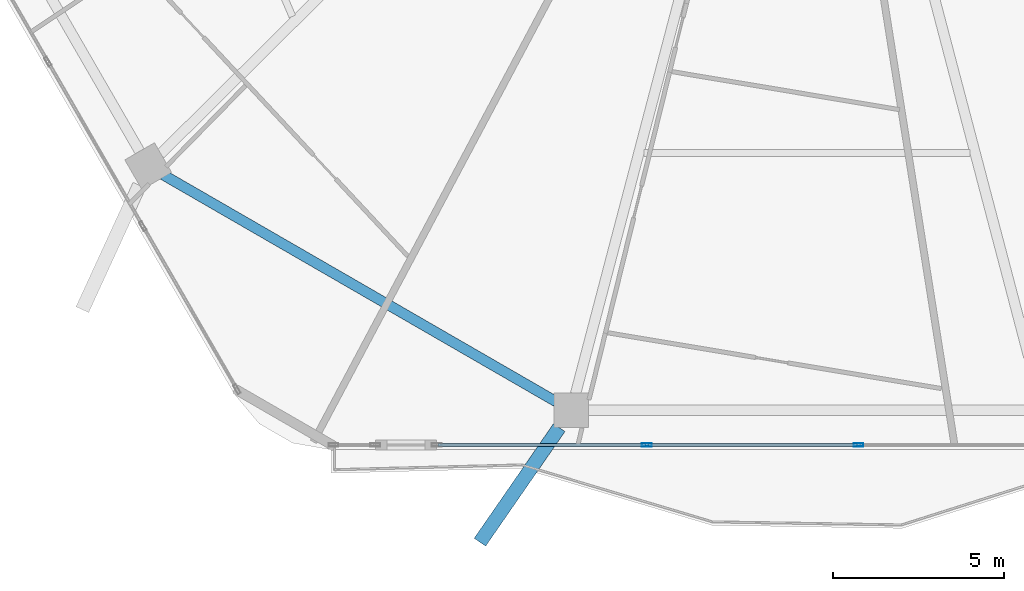
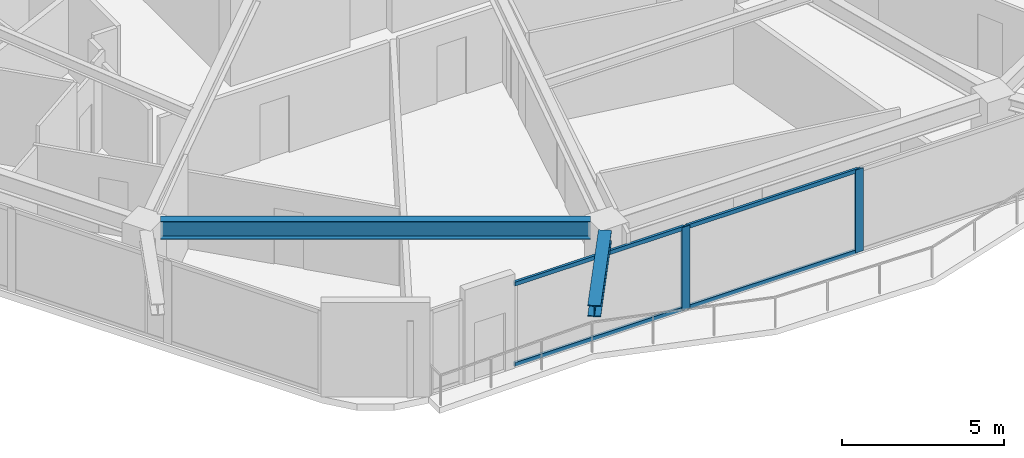
# One storey, part 3 of 27: 6 members, 2 beams, 1 element without a shape of its own.
"""IFC4 building model written with IfcOpenShell, lengths in metres."""

from ifc_helpers import new_model, si_unit, direction, frame, origin, origin_2d, place, context, subcontext, project, spatial, hollow_rectangle, i_section, extrude, material, material_profile, profile_set, type_object, element, aggregate, save


model = new_model("IFC4")

# Units and contexts
model_context = context("Model", 3, precision=1e-05, world=origin(), true_north=direction((0.0, 1.0)))
body_context = subcontext(model_context, "Body", "Model", "MODEL_VIEW")
ifc_project = project(units=[si_unit("LENGTHUNIT", "METRE"), si_unit("AREAUNIT", "SQUARE_METRE"), si_unit("VOLUMEUNIT", "CUBIC_METRE"), si_unit("PLANEANGLEUNIT", "RADIAN"), si_unit("MASSUNIT", "GRAM", prefix="KILO")], contexts=[model_context])

# Site, building, storey
site_placement = place(None, origin())
site = spatial("IfcSite", under=ifc_project, at=site_placement, CompositionType="ELEMENT")
building_placement = place(site_placement, origin())
building = spatial("IfcBuilding", under=site, at=building_placement, Name="Zuhravey Tower", CompositionType="ELEMENT")
storey_placement = place(building_placement, frame((0.0, 0.0, 173.199951171875)))
storey = spatial("IfcBuildingStorey", under=building, at=storey_placement, Name="L43", CompositionType="ELEMENT", Elevation=173.199951171875)

# Curtain wall, members
ifc_material_1 = material(Name="Thermally broken anodised aluminium", Category="aluminium")
curtain_wall_type = type_object("IfcCurtainWallType", Name="Zone 1-2 Residential Curtain Wall CW3", PredefinedType="NOTDEFINED", material=ifc_material_1)
curtain_wall_placement = place(storey_placement, origin())
curtain_wall = element("IfcCurtainWall", 1, at=curtain_wall_placement, inside=storey, type_object=curtain_wall_type, Name="L43 CW3 CW-L43-F5-1", PredefinedType="NOTDEFINED")
ifc_material_2 = material(Name="Anodised aluminium", Category="aluminium")
ifc_material_profile_1 = material_profile(ifc_material_2, hollow_rectangle(XDim=0.090087890625, YDim=0.284912109375, WallThickness=0.0048828125, at=origin_2d()), Name="ALU-RHS-90x285x5")
ifc_profile_set_1 = profile_set([ifc_material_profile_1], Name="Anodised aluminium")
member_type_1 = type_object("IfcMemberType", Name="Curtain-Wall Mullion 90x180", PredefinedType="MULLION", material=ifc_profile_set_1)
member_1_placement = place(storey_placement, frame((37.504638671875, 4.81689453125, 0.0), z_axis=(0.0, 0.0, 1.0), x_axis=(0.0, -1.0, 0.0)))
member_1 = element("IfcMember", 2, at=member_1_placement, type_object=member_type_1, Name="CW3 mullion 3", PredefinedType="MULLION", context=body_context, shape_type="SweptSolid", body=[
    extrude(hollow_rectangle(XDim=0.090087890625, YDim=0.284912109375, WallThickness=0.0048828125, at=origin_2d()), origin(), (0.0, 0.0, 1.0), 3.1220703125),
])
member_2_placement = place(storey_placement, frame((31.326416015625, 4.81689453125, 0.0), z_axis=(0.0, 0.0, 1.0), x_axis=(0.0, -1.0, 0.0)))
member_2 = element("IfcMember", 3, at=member_2_placement, type_object=member_type_1, Name="CW3 mullion 4", PredefinedType="MULLION", context=body_context, shape_type="SweptSolid", body=[
    extrude(hollow_rectangle(XDim=0.090087890625, YDim=0.284912109375, WallThickness=0.0048828125, at=origin_2d()), origin(), (0.0, 0.0, 1.0), 3.1220703125),
])
ifc_material_profile_2 = material_profile(ifc_material_2, hollow_rectangle(XDim=0.090087890625, YDim=0.14990234375, WallThickness=0.0048828125, at=origin_2d()), Name="ALU-RHS-90x150x5")
ifc_profile_set_2 = profile_set([ifc_material_profile_2], Name="Anodised aluminium")
member_type_2 = type_object("IfcMemberType", Name="Curtain-Wall Transom 90x150", PredefinedType="USERDEFINED", material=ifc_profile_set_2)
member_3_placement = place(storey_placement, frame((37.459716796875, 4.81689453125, 0.045166015625), z_axis=(-1.0, 0.0, 0.0), x_axis=(0.0, -1.0, 0.0)))
member_3 = element("IfcMember", 4, at=member_3_placement, type_object=member_type_2, Name="CW3 transom 3.1", ObjectType="TRANSOM", PredefinedType="USERDEFINED", context=body_context, shape_type="SweptSolid", body=[
    extrude(hollow_rectangle(XDim=0.090087890625, YDim=0.14990234375, WallThickness=0.0048828125, at=origin_2d()), origin(), (0.0, 0.0, 1.0), 6.08837890625),
])
member_4_placement = place(storey_placement, frame((37.459716796875, 4.81689453125, 3.0771484375), z_axis=(-1.0, 0.0, 0.0), x_axis=(0.0, -1.0, 0.0)))
member_4 = element("IfcMember", 5, at=member_4_placement, type_object=member_type_2, Name="CW3 transom 3.2", ObjectType="TRANSOM", PredefinedType="USERDEFINED", context=body_context, shape_type="SweptSolid", body=[
    extrude(hollow_rectangle(XDim=0.090087890625, YDim=0.14990234375, WallThickness=0.0048828125, at=origin_2d()), origin(), (0.0, 0.0, 1.0), 6.08837890625),
])
member_5_placement = place(storey_placement, frame((31.281494140625, 4.81689453125, 0.045166015625), z_axis=(-1.0, 0.0, 0.0), x_axis=(0.0, -1.0, 0.0)))
member_5 = element("IfcMember", 6, at=member_5_placement, type_object=member_type_2, Name="CW3 transom 4.1", ObjectType="TRANSOM", PredefinedType="USERDEFINED", context=body_context, shape_type="SweptSolid", body=[
    extrude(hollow_rectangle(XDim=0.090087890625, YDim=0.14990234375, WallThickness=0.0048828125, at=origin_2d()), origin(), (0.0, 0.0, 1.0), 6.043212890625),
])
member_6_placement = place(storey_placement, frame((31.281494140625, 4.81689453125, 3.0771484375), z_axis=(-1.0, 0.0, 0.0), x_axis=(0.0, -1.0, 0.0)))
member_6 = element("IfcMember", 7, at=member_6_placement, type_object=member_type_2, Name="CW3 transom 4.2", ObjectType="TRANSOM", PredefinedType="USERDEFINED", context=body_context, shape_type="SweptSolid", body=[
    extrude(hollow_rectangle(XDim=0.090087890625, YDim=0.14990234375, WallThickness=0.0048828125, at=origin_2d()), origin(), (0.0, 0.0, 1.0), 6.043212890625),
])
aggregate(curtain_wall, [member_1, member_2, member_3, member_4, member_5, member_6])

# Beams
ifc_material_3 = material(Name="Steel SM460", Category="steel")
ifc_material_profile_3 = material_profile(ifc_material_3, i_section(OverallWidth=0.406982421875, OverallDepth=0.427978515625, WebThickness=0.02001953125, FlangeThickness=0.034912109375, at=origin_2d()), Name="H-428x407x20x35")
ifc_profile_set_3 = profile_set([ifc_material_profile_3], Name="Steel SM460")
beam_type_1 = type_object("IfcBeamType", Name="Exoskeleton Node Tie Beam H428x407", PredefinedType="BEAM", material=ifc_profile_set_3)
beam_1_placement = place(storey_placement, frame((28.76953125, 5.32373046875, 3.3359375), z_axis=(-0.569294235709, -0.822133853572, 0.0), x_axis=(0.822133853572, -0.569294235709, 0.0)))
element("IfcBeam", 8, at=beam_1_placement, inside=storey, type_object=beam_type_1, Name="L43 Exoskeleton Node Tie NT1-09", PredefinedType="BEAM", context=body_context, shape_type="SweptSolid", body=[
    extrude(i_section(OverallWidth=0.406982421875, OverallDepth=0.427978515625, WebThickness=0.02001953125, FlangeThickness=0.034912109375, at=origin_2d()), origin(), (0.0, 0.0, 1.0), 4.068115234375),
])
ifc_material_4 = material(Name="Steel SM355", Category="steel")
ifc_material_profile_4 = material_profile(ifc_material_4, i_section(OverallWidth=0.300048828125, OverallDepth=0.679931640625, WebThickness=0.012939453125, FlangeThickness=0.02197265625, at=origin_2d()), Name="H-680x300x13x22")
ifc_profile_set_4 = profile_set([ifc_material_profile_4], Name="Steel SM355")
beam_type_2 = type_object("IfcBeamType", Name="Perimeter Ring Beam H680x300", PredefinedType="BEAM", material=ifc_profile_set_4)
beam_2_placement = place(storey_placement, frame((17.210205078125, 12.701904296875, 3.2099609375), z_axis=(0.866022923061, -0.500004296715, 0.0), x_axis=(0.500004296715, 0.866022923061, 0.0)))
element("IfcBeam", 9, at=beam_2_placement, inside=storey, type_object=beam_type_2, Name="L43 PB2 BM-L43-PB-08", PredefinedType="BEAM", context=body_context, shape_type="SweptSolid", body=[
    extrude(i_section(OverallWidth=0.300048828125, OverallDepth=0.679931640625, WebThickness=0.012939453125, FlangeThickness=0.02197265625, at=origin_2d()), origin(), (0.0, 0.0, 1.0), 13.2470703125),
])

save(model, "model.ifc")
